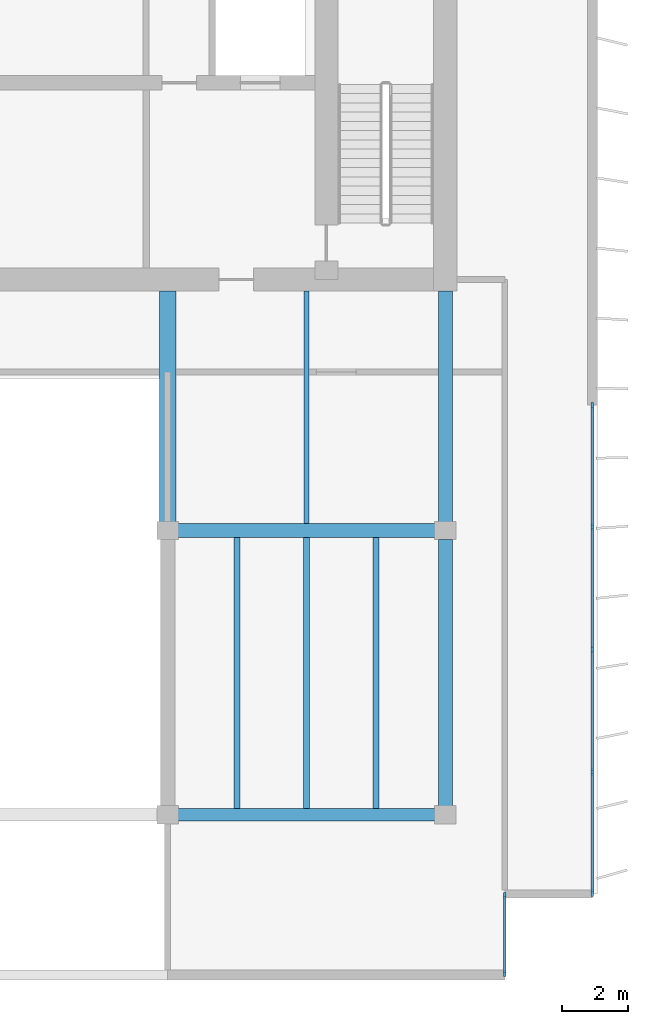
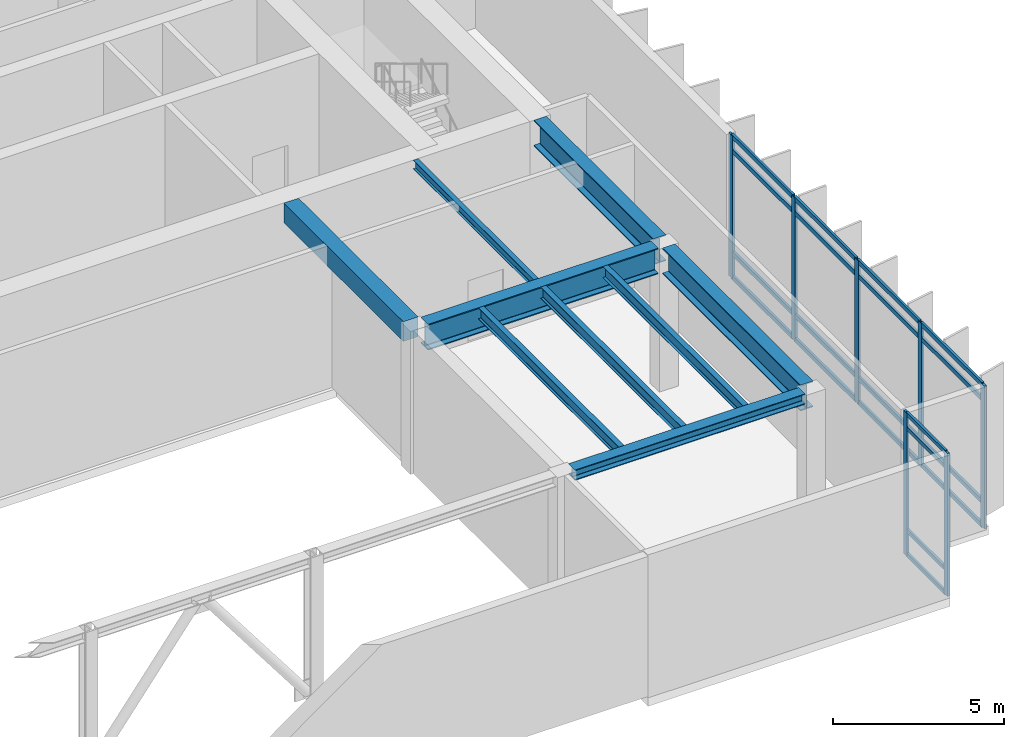
# One storey, part 3 of 9: 27 members, 9 beams, 2 elements without a shape of their own.
"""IFC4 building model written with IfcOpenShell, lengths in metres."""

from ifc_helpers import new_model, si_unit, direction, frame, origin, origin_2d, place, context, subcontext, project, spatial, rectangle, i_section, extrude, material, layer, layer_set, material_profile, profile_set, type_object, element, aggregate, save


model = new_model("IFC4")

# Units and contexts
model_context = context("Model", 3, precision=1e-05, world=origin(), true_north=direction((0.0, 1.0)))
body_context = subcontext(model_context, "Body", "Model", "MODEL_VIEW")
ifc_project = project(units=[si_unit("LENGTHUNIT", "METRE"), si_unit("AREAUNIT", "SQUARE_METRE"), si_unit("VOLUMEUNIT", "CUBIC_METRE"), si_unit("PLANEANGLEUNIT", "RADIAN"), si_unit("MASSUNIT", "GRAM", prefix="KILO")], contexts=[model_context])

# Site, building, storey
site_placement = place(None, origin())
site = spatial("IfcSite", under=ifc_project, at=site_placement, CompositionType="ELEMENT")
building_placement = place(site_placement, origin())
building = spatial("IfcBuilding", under=site, at=building_placement, Name="Caelmar Bay Residences", CompositionType="ELEMENT")
storey_placement = place(building_placement, frame((0.0, 0.0, 290.199951171875)))
storey = spatial("IfcBuildingStorey", under=building, at=storey_placement, Name="L80", CompositionType="ELEMENT", Elevation=290.199951171875)

# Beams
ifc_material_1 = material(Name="Steel ASTM A992 Grade 50", Category="steel")
ifc_material_profile_1 = material_profile(ifc_material_1, i_section(OverallWidth=0.177978515625, OverallDepth=0.406005859375, WebThickness=0.0078125, FlangeThickness=0.0126953125, FilletRadius=0.0087890625, at=origin_2d()), Name="W16X40")
ifc_profile_set_1 = profile_set([ifc_material_profile_1], Name="Steel ASTM A992 Grade 50")
beam_type_1 = type_object("IfcBeamType", Name="BM-BAL-W16X40", PredefinedType="JOIST", material=ifc_profile_set_1)
for number, where, z_axis, x_axis, name in (
    (1, (53.199951171875, 20.986572265625, 4.89697265625), (0.0, 1.0, 0.0), (-1.0, 0.0, 0.0), "L80 Composite Floor Joist 4"),
    (2, (55.300048828125, 20.986572265625, 4.89697265625), (0.0, 1.0, 0.0), (-1.0, 0.0, 0.0), "L80 Composite Floor Joist 5"),
    (3, (57.39990234375, 20.986572265625, 4.89697265625), (0.0, 1.0, 0.0), (-1.0, 0.0, 0.0), "L80 Composite Floor Joist 6"),
):
    element("IfcBeam", number, at=place(storey_placement, frame(where, z_axis=z_axis, x_axis=x_axis)), inside=storey, type_object=beam_type_1, Name=name, PredefinedType="JOIST", context=body_context, shape_type="SweptSolid", body=[
        extrude(i_section(OverallWidth=0.177978515625, OverallDepth=0.406005859375, WebThickness=0.0078125, FlangeThickness=0.0126953125, FilletRadius=0.0087890625, at=origin_2d()), origin(), (0.0, 0.0, 1.0), 8.202392578125),
    ])
ifc_material_profile_2 = material_profile(ifc_material_1, i_section(OverallWidth=0.373046875, OverallDepth=0.373046875, WebThickness=0.016357421875, FlangeThickness=0.026123046875, FilletRadius=0.01513671875, at=origin_2d()), Name="W14X132")
ifc_profile_set_2 = profile_set([ifc_material_profile_2], Name="Steel ASTM A992 Grade 50")
beam_type_2 = type_object("IfcBeamType", Name="BM-CHD-W14X132", PredefinedType="BEAM", material=ifc_profile_set_2)
beam_1_placement = place(storey_placement, frame((51.4150390625, 20.800048828125, 4.91357421875), z_axis=(1.0, 0.0, 0.0), x_axis=(0.0, 1.0, 0.0)))
element("IfcBeam", 4, at=beam_1_placement, inside=storey, type_object=beam_type_2, Name="L80 East-West Girder Y=20.80 (51.1-59.5)", PredefinedType="BEAM", context=body_context, shape_type="SweptSolid", body=[
    extrude(i_section(OverallWidth=0.373046875, OverallDepth=0.373046875, WebThickness=0.016357421875, FlangeThickness=0.026123046875, FilletRadius=0.01513671875, at=origin_2d()), origin(), (0.0, 0.0, 1.0), 7.77001953125),
])
ifc_material_profile_3 = material_profile(ifc_material_1, i_section(OverallWidth=0.422119140625, OverallDepth=0.925048828125, WebThickness=0.021240234375, FlangeThickness=0.03662109375, FilletRadius=0.020263671875, at=origin_2d()), Name="W36X262")
ifc_profile_set_3 = profile_set([ifc_material_profile_3], Name="Steel ASTM A992 Grade 50")
beam_type_3 = type_object("IfcBeamType", Name="BM-GRD-W36X262", PredefinedType="BEAM", material=ifc_profile_set_3)
beam_2_placement = place(storey_placement, frame((51.4150390625, 29.39990234375, 4.637451171875), z_axis=(1.0, 0.0, 0.0), x_axis=(0.0, 1.0, 0.0)))
element("IfcBeam", 5, at=beam_2_placement, inside=storey, type_object=beam_type_3, Name="L80 East-West Girder Y=29.40 (51.1-59.5)", PredefinedType="BEAM", context=body_context, shape_type="SweptSolid", body=[
    extrude(i_section(OverallWidth=0.422119140625, OverallDepth=0.925048828125, WebThickness=0.021240234375, FlangeThickness=0.03662109375, FilletRadius=0.020263671875, at=origin_2d()), origin(), (0.0, 0.0, 1.0), 7.77001953125),
])
beam_3_placement = place(storey_placement, frame((59.5, 29.6650390625, 4.637451171875), z_axis=(0.0, 1.0, 0.0), x_axis=(-1.0, 0.0, 0.0)))
element("IfcBeam", 6, at=beam_3_placement, inside=storey, type_object=beam_type_3, Name="L80 Core Tie Girder X=59.50", PredefinedType="BEAM", context=body_context, shape_type="SweptSolid", body=[
    extrude(i_section(OverallWidth=0.422119140625, OverallDepth=0.925048828125, WebThickness=0.021240234375, FlangeThickness=0.03662109375, FilletRadius=0.020263671875, at=origin_2d()), origin(), (0.0, 0.0, 1.0), 6.98486328125),
])
beam_4_placement = place(storey_placement, frame((59.5, 21.06494140625, 4.637451171875), z_axis=(0.0, 1.0, 0.0), x_axis=(-1.0, 0.0, 0.0)))
element("IfcBeam", 7, at=beam_4_placement, inside=storey, type_object=beam_type_3, Name="L80 North-South Girder X=59.50 (20.8-29.4)", PredefinedType="BEAM", context=body_context, shape_type="SweptSolid", body=[
    extrude(i_section(OverallWidth=0.422119140625, OverallDepth=0.925048828125, WebThickness=0.021240234375, FlangeThickness=0.03662109375, FilletRadius=0.020263671875, at=origin_2d()), origin(), (0.0, 0.0, 1.0), 8.070068359375),
])
ifc_material_profile_4 = material_profile(ifc_material_1, i_section(OverallWidth=0.1650390625, OverallDepth=0.31005859375, WebThickness=0.005859375, FlangeThickness=0.009765625, FilletRadius=0.007568359375, at=origin_2d()), Name="W12X26")
ifc_profile_set_4 = profile_set([ifc_material_profile_4], Name="Steel ASTM A992 Grade 50")
beam_type_4 = type_object("IfcBeamType", Name="BM-JST-W12X26", PredefinedType="JOIST", material=ifc_profile_set_4)
beam_5_placement = place(storey_placement, frame((55.300048828125, 29.611083984375, 4.945068359375), z_axis=(0.0, 1.0, 0.0), x_axis=(-1.0, 0.0, 0.0)))
element("IfcBeam", 8, at=beam_5_placement, inside=storey, type_object=beam_type_4, Name="L80 Core-Band Composite Joist 8", PredefinedType="JOIST", context=body_context, shape_type="SweptSolid", body=[
    extrude(i_section(OverallWidth=0.1650390625, OverallDepth=0.31005859375, WebThickness=0.005859375, FlangeThickness=0.009765625, FilletRadius=0.007568359375, at=origin_2d()), origin(), (0.0, 0.0, 1.0), 7.038818359375),
])
ifc_material_2 = material(Name="Concrete f'c 55 MPa (8,000 psi)", Category="concrete")
ifc_material_profile_5 = material_profile(ifc_material_2, rectangle(XDim=0.5, YDim=0.699951171875, at=origin_2d()), Name="RC-BM-500X700")
ifc_profile_set_5 = profile_set([ifc_material_profile_5], Name="Concrete f'c 55 MPa (8,000 psi)")
beam_type_5 = type_object("IfcBeamType", Name="BM-RC-500X700", PredefinedType="LINTEL", material=ifc_profile_set_5)
beam_6_placement = place(storey_placement, frame((51.10009765625, 29.6650390625, 4.75), z_axis=(0.0, 1.0, 0.0), x_axis=(-1.0, 0.0, 0.0)))
element("IfcBeam", 9, at=beam_6_placement, inside=storey, type_object=beam_type_5, Name="L80 Shear-Wall Corridor Coupling Lintel E8", PredefinedType="LINTEL", context=body_context, shape_type="SweptSolid", body=[
    extrude(rectangle(XDim=0.5, YDim=0.699951171875, at=origin_2d()), origin(), (0.0, 0.0, 1.0), 6.98486328125),
])

# Curtain wall, members
ifc_material_3 = material(Name="Anodised bronze aluminium 6063-T6 and laminated glass", Category="aluminium")
ifc_layer_1 = layer(ifc_material_3, 0.179931640625)
ifc_layer_set_1 = layer_set([ifc_layer_1], Name="Anodised bronze aluminium 6063-T6 and laminated glass")
curtain_wall_type_1 = type_object("IfcCurtainWallType", Name="CW6-NTC", PredefinedType="NOTDEFINED", material=ifc_layer_set_1)
curtain_wall_1_placement = place(storey_placement, origin())
curtain_wall_1 = element("IfcCurtainWall", 10, at=curtain_wall_1_placement, inside=storey, type_object=curtain_wall_type_1, Name="CW6 curtain wall L80", PredefinedType="NOTDEFINED")
ifc_material_4 = material(Name="Anodised bronze aluminium 6063-T6", Category="aluminium")
ifc_material_profile_6 = material_profile(ifc_material_4, rectangle(XDim=0.080078125, YDim=0.179931640625, at=origin_2d()), Name="CWM-80X180")
ifc_profile_set_6 = profile_set([ifc_material_profile_6], Name="Anodised bronze aluminium 6063-T6")
member_type_1 = type_object("IfcMemberType", Name="CWM-180", PredefinedType="MULLION", material=ifc_profile_set_6)
member_1_placement = place(storey_placement, frame((61.300048828125, 15.989990234375, 0.0), z_axis=(0.0, 0.0, 1.0), x_axis=(-1.0, 0.0, 0.0)))
member_1 = element("IfcMember", 11, at=member_1_placement, type_object=member_type_1, Name="CW6 mullion 1", PredefinedType="MULLION", context=body_context, shape_type="SweptSolid", body=[
    extrude(rectangle(XDim=0.080078125, YDim=0.179931640625, at=origin_2d()), origin(), (0.0, 0.0, 1.0), 5.10009765625),
])
member_2_placement = place(storey_placement, frame((61.300048828125, 18.360107421875, 0.0), z_axis=(0.0, 0.0, 1.0), x_axis=(-1.0, 0.0, 0.0)))
member_2 = element("IfcMember", 12, at=member_2_placement, type_object=member_type_1, Name="CW6 mullion 2", PredefinedType="MULLION", context=body_context, shape_type="SweptSolid", body=[
    extrude(rectangle(XDim=0.080078125, YDim=0.179931640625, at=origin_2d()), origin(), (0.0, 0.0, 1.0), 5.10009765625),
])

ifc_layer_2 = layer(ifc_material_3, 0.179931640625)
ifc_layer_set_2 = layer_set([ifc_layer_2], Name="Anodised bronze aluminium 6063-T6 and laminated glass")
curtain_wall_type_2 = type_object("IfcCurtainWallType", Name="CW7-CRN", PredefinedType="NOTDEFINED", material=ifc_layer_set_2)
curtain_wall_2_placement = place(storey_placement, origin())
curtain_wall_2 = element("IfcCurtainWall", 13, at=curtain_wall_2_placement, inside=storey, type_object=curtain_wall_type_2, Name="CW7 curtain wall L80", PredefinedType="NOTDEFINED")
ifc_material_profile_7 = material_profile(ifc_material_4, rectangle(XDim=0.080078125, YDim=0.219970703125, at=origin_2d()), Name="CWM-80X220")
ifc_profile_set_7 = profile_set([ifc_material_profile_7], Name="Anodised bronze aluminium 6063-T6")
member_type_2 = type_object("IfcMemberType", Name="CWM-220", PredefinedType="MULLION", material=ifc_profile_set_7)
member_3_placement = place(storey_placement, frame((63.949951171875, 33.159912109375, 0.0), z_axis=(0.0, 0.0, 1.0), x_axis=(1.0, 0.0, 0.0)))
member_3 = element("IfcMember", 14, at=member_3_placement, type_object=member_type_2, Name="CW7 mullion 1", PredefinedType="MULLION", context=body_context, shape_type="SweptSolid", body=[
    extrude(rectangle(XDim=0.080078125, YDim=0.219970703125, at=origin_2d()), origin(), (0.0, 0.0, 1.0), 5.10009765625),
])
member_4_placement = place(storey_placement, frame((63.949951171875, 29.5, 0.0), z_axis=(0.0, 0.0, 1.0), x_axis=(1.0, 0.0, 0.0)))
member_4 = element("IfcMember", 15, at=member_4_placement, type_object=member_type_2, Name="CW7 mullion 2", PredefinedType="MULLION", context=body_context, shape_type="SweptSolid", body=[
    extrude(rectangle(XDim=0.080078125, YDim=0.219970703125, at=origin_2d()), origin(), (0.0, 0.0, 1.0), 5.10009765625),
])
member_5_placement = place(storey_placement, frame((63.949951171875, 25.800048828125, 0.0), z_axis=(0.0, 0.0, 1.0), x_axis=(1.0, 0.0, 0.0)))
member_5 = element("IfcMember", 16, at=member_5_placement, type_object=member_type_2, Name="CW7 mullion 3", PredefinedType="MULLION", context=body_context, shape_type="SweptSolid", body=[
    extrude(rectangle(XDim=0.080078125, YDim=0.219970703125, at=origin_2d()), origin(), (0.0, 0.0, 1.0), 5.10009765625),
])
member_6_placement = place(storey_placement, frame((63.949951171875, 22.10009765625, 0.0), z_axis=(0.0, 0.0, 1.0), x_axis=(1.0, 0.0, 0.0)))
member_6 = element("IfcMember", 17, at=member_6_placement, type_object=member_type_2, Name="CW7 mullion 4", PredefinedType="MULLION", context=body_context, shape_type="SweptSolid", body=[
    extrude(rectangle(XDim=0.080078125, YDim=0.219970703125, at=origin_2d()), origin(), (0.0, 0.0, 1.0), 5.10009765625),
])
member_7_placement = place(storey_placement, frame((63.949951171875, 18.43994140625, 0.0), z_axis=(0.0, 0.0, 1.0), x_axis=(1.0, 0.0, 0.0)))
member_7 = element("IfcMember", 18, at=member_7_placement, type_object=member_type_2, Name="CW7 mullion 5", PredefinedType="MULLION", context=body_context, shape_type="SweptSolid", body=[
    extrude(rectangle(XDim=0.080078125, YDim=0.219970703125, at=origin_2d()), origin(), (0.0, 0.0, 1.0), 5.10009765625),
])

# Member
ifc_material_profile_8 = material_profile(ifc_material_4, rectangle(XDim=0.080078125, YDim=0.139892578125, at=origin_2d()), Name="CWT-80X140")
ifc_profile_set_8 = profile_set([ifc_material_profile_8], Name="Anodised bronze aluminium 6063-T6")
member_type_3 = type_object("IfcMemberType", Name="CWT-140", PredefinedType="NOTDEFINED", material=ifc_profile_set_8)
member_8_placement = place(storey_placement, frame((61.300048828125, 16.030029296875, 0.0400390625), z_axis=(0.0, 1.0, 0.0), x_axis=(-1.0, 0.0, 0.0)))
member_8 = element("IfcMember", 19, at=member_8_placement, type_object=member_type_3, Name="CW6 transom 1.1", ObjectType="TRANSOM", PredefinedType="USERDEFINED", context=body_context, shape_type="SweptSolid", body=[
    extrude(rectangle(XDim=0.080078125, YDim=0.139892578125, at=origin_2d()), origin(), (0.0, 0.0, 1.0), 2.2900390625),
])

member_9_placement = place(storey_placement, frame((61.300048828125, 16.030029296875, 0.900146484375), z_axis=(0.0, 1.0, 0.0), x_axis=(-1.0, 0.0, 0.0)))
member_9 = element("IfcMember", 20, at=member_9_placement, type_object=member_type_3, Name="CW6 transom 1.2", ObjectType="TRANSOM", PredefinedType="USERDEFINED", context=body_context, shape_type="SweptSolid", body=[
    extrude(rectangle(XDim=0.080078125, YDim=0.139892578125, at=origin_2d()), origin(), (0.0, 0.0, 1.0), 2.2900390625),
])

member_10_placement = place(storey_placement, frame((61.300048828125, 16.030029296875, 4.550048828125), z_axis=(0.0, 1.0, 0.0), x_axis=(-1.0, 0.0, 0.0)))
member_10 = element("IfcMember", 21, at=member_10_placement, type_object=member_type_3, Name="CW6 transom 1.3", ObjectType="TRANSOM", PredefinedType="USERDEFINED", context=body_context, shape_type="SweptSolid", body=[
    extrude(rectangle(XDim=0.080078125, YDim=0.139892578125, at=origin_2d()), origin(), (0.0, 0.0, 1.0), 2.2900390625),
])

member_11_placement = place(storey_placement, frame((61.300048828125, 16.030029296875, 5.06005859375), z_axis=(0.0, 1.0, 0.0), x_axis=(-1.0, 0.0, 0.0)))
member_11 = element("IfcMember", 22, at=member_11_placement, type_object=member_type_3, Name="CW6 transom 1.4", ObjectType="TRANSOM", PredefinedType="USERDEFINED", context=body_context, shape_type="SweptSolid", body=[
    extrude(rectangle(XDim=0.080078125, YDim=0.139892578125, at=origin_2d()), origin(), (0.0, 0.0, 1.0), 2.2900390625),
])

aggregate(curtain_wall_1, [member_1, member_2, member_8, member_9, member_10, member_11])

ifc_material_profile_9 = material_profile(ifc_material_4, rectangle(XDim=0.080078125, YDim=0.159912109375, at=origin_2d()), Name="CWT-80X160")
ifc_profile_set_9 = profile_set([ifc_material_profile_9], Name="Anodised bronze aluminium 6063-T6")
member_type_4 = type_object("IfcMemberType", Name="CWT-160", PredefinedType="NOTDEFINED", material=ifc_profile_set_9)
member_12_placement = place(storey_placement, frame((63.949951171875, 33.1201171875, 0.0400390625), z_axis=(0.0, -1.0, 0.0), x_axis=(1.0, 0.0, 0.0)))
member_12 = element("IfcMember", 23, at=member_12_placement, type_object=member_type_4, Name="CW7 transom 1.1", ObjectType="TRANSOM", PredefinedType="USERDEFINED", context=body_context, shape_type="SweptSolid", body=[
    extrude(rectangle(XDim=0.080078125, YDim=0.159912109375, at=origin_2d()), origin(), (0.0, 0.0, 1.0), 3.580078125),
])

member_13_placement = place(storey_placement, frame((63.949951171875, 33.1201171875, 0.900146484375), z_axis=(0.0, -1.0, 0.0), x_axis=(1.0, 0.0, 0.0)))
member_13 = element("IfcMember", 24, at=member_13_placement, type_object=member_type_4, Name="CW7 transom 1.2", ObjectType="TRANSOM", PredefinedType="USERDEFINED", context=body_context, shape_type="SweptSolid", body=[
    extrude(rectangle(XDim=0.080078125, YDim=0.159912109375, at=origin_2d()), origin(), (0.0, 0.0, 1.0), 3.580078125),
])

member_14_placement = place(storey_placement, frame((63.949951171875, 33.1201171875, 4.550048828125), z_axis=(0.0, -1.0, 0.0), x_axis=(1.0, 0.0, 0.0)))
member_14 = element("IfcMember", 25, at=member_14_placement, type_object=member_type_4, Name="CW7 transom 1.3", ObjectType="TRANSOM", PredefinedType="USERDEFINED", context=body_context, shape_type="SweptSolid", body=[
    extrude(rectangle(XDim=0.080078125, YDim=0.159912109375, at=origin_2d()), origin(), (0.0, 0.0, 1.0), 3.580078125),
])

member_15_placement = place(storey_placement, frame((63.949951171875, 33.1201171875, 5.06005859375), z_axis=(0.0, -1.0, 0.0), x_axis=(1.0, 0.0, 0.0)))
member_15 = element("IfcMember", 26, at=member_15_placement, type_object=member_type_4, Name="CW7 transom 1.4", ObjectType="TRANSOM", PredefinedType="USERDEFINED", context=body_context, shape_type="SweptSolid", body=[
    extrude(rectangle(XDim=0.080078125, YDim=0.159912109375, at=origin_2d()), origin(), (0.0, 0.0, 1.0), 3.580078125),
])

member_16_placement = place(storey_placement, frame((63.949951171875, 29.4599609375, 0.0400390625), z_axis=(0.0, -1.0, 0.0), x_axis=(1.0, 0.0, 0.0)))
member_16 = element("IfcMember", 27, at=member_16_placement, type_object=member_type_4, Name="CW7 transom 2.1", ObjectType="TRANSOM", PredefinedType="USERDEFINED", context=body_context, shape_type="SweptSolid", body=[
    extrude(rectangle(XDim=0.080078125, YDim=0.159912109375, at=origin_2d()), origin(), (0.0, 0.0, 1.0), 3.619873046875),
])

member_17_placement = place(storey_placement, frame((63.949951171875, 29.4599609375, 0.900146484375), z_axis=(0.0, -1.0, 0.0), x_axis=(1.0, 0.0, 0.0)))
member_17 = element("IfcMember", 28, at=member_17_placement, type_object=member_type_4, Name="CW7 transom 2.2", ObjectType="TRANSOM", PredefinedType="USERDEFINED", context=body_context, shape_type="SweptSolid", body=[
    extrude(rectangle(XDim=0.080078125, YDim=0.159912109375, at=origin_2d()), origin(), (0.0, 0.0, 1.0), 3.619873046875),
])

member_18_placement = place(storey_placement, frame((63.949951171875, 29.4599609375, 4.550048828125), z_axis=(0.0, -1.0, 0.0), x_axis=(1.0, 0.0, 0.0)))
member_18 = element("IfcMember", 29, at=member_18_placement, type_object=member_type_4, Name="CW7 transom 2.3", ObjectType="TRANSOM", PredefinedType="USERDEFINED", context=body_context, shape_type="SweptSolid", body=[
    extrude(rectangle(XDim=0.080078125, YDim=0.159912109375, at=origin_2d()), origin(), (0.0, 0.0, 1.0), 3.619873046875),
])

member_19_placement = place(storey_placement, frame((63.949951171875, 29.4599609375, 5.06005859375), z_axis=(0.0, -1.0, 0.0), x_axis=(1.0, 0.0, 0.0)))
member_19 = element("IfcMember", 30, at=member_19_placement, type_object=member_type_4, Name="CW7 transom 2.4", ObjectType="TRANSOM", PredefinedType="USERDEFINED", context=body_context, shape_type="SweptSolid", body=[
    extrude(rectangle(XDim=0.080078125, YDim=0.159912109375, at=origin_2d()), origin(), (0.0, 0.0, 1.0), 3.619873046875),
])

member_20_placement = place(storey_placement, frame((63.949951171875, 25.760009765625, 0.0400390625), z_axis=(0.0, -1.0, 0.0), x_axis=(1.0, 0.0, 0.0)))
member_20 = element("IfcMember", 31, at=member_20_placement, type_object=member_type_4, Name="CW7 transom 3.1", ObjectType="TRANSOM", PredefinedType="USERDEFINED", context=body_context, shape_type="SweptSolid", body=[
    extrude(rectangle(XDim=0.080078125, YDim=0.159912109375, at=origin_2d()), origin(), (0.0, 0.0, 1.0), 3.6201171875),
])

member_21_placement = place(storey_placement, frame((63.949951171875, 25.760009765625, 0.900146484375), z_axis=(0.0, -1.0, 0.0), x_axis=(1.0, 0.0, 0.0)))
member_21 = element("IfcMember", 32, at=member_21_placement, type_object=member_type_4, Name="CW7 transom 3.2", ObjectType="TRANSOM", PredefinedType="USERDEFINED", context=body_context, shape_type="SweptSolid", body=[
    extrude(rectangle(XDim=0.080078125, YDim=0.159912109375, at=origin_2d()), origin(), (0.0, 0.0, 1.0), 3.6201171875),
])

member_22_placement = place(storey_placement, frame((63.949951171875, 25.760009765625, 4.550048828125), z_axis=(0.0, -1.0, 0.0), x_axis=(1.0, 0.0, 0.0)))
member_22 = element("IfcMember", 33, at=member_22_placement, type_object=member_type_4, Name="CW7 transom 3.3", ObjectType="TRANSOM", PredefinedType="USERDEFINED", context=body_context, shape_type="SweptSolid", body=[
    extrude(rectangle(XDim=0.080078125, YDim=0.159912109375, at=origin_2d()), origin(), (0.0, 0.0, 1.0), 3.6201171875),
])

member_23_placement = place(storey_placement, frame((63.949951171875, 25.760009765625, 5.06005859375), z_axis=(0.0, -1.0, 0.0), x_axis=(1.0, 0.0, 0.0)))
member_23 = element("IfcMember", 34, at=member_23_placement, type_object=member_type_4, Name="CW7 transom 3.4", ObjectType="TRANSOM", PredefinedType="USERDEFINED", context=body_context, shape_type="SweptSolid", body=[
    extrude(rectangle(XDim=0.080078125, YDim=0.159912109375, at=origin_2d()), origin(), (0.0, 0.0, 1.0), 3.6201171875),
])

member_24_placement = place(storey_placement, frame((63.949951171875, 22.06005859375, 0.0400390625), z_axis=(0.0, -1.0, 0.0), x_axis=(1.0, 0.0, 0.0)))
member_24 = element("IfcMember", 35, at=member_24_placement, type_object=member_type_4, Name="CW7 transom 4.1", ObjectType="TRANSOM", PredefinedType="USERDEFINED", context=body_context, shape_type="SweptSolid", body=[
    extrude(rectangle(XDim=0.080078125, YDim=0.159912109375, at=origin_2d()), origin(), (0.0, 0.0, 1.0), 3.580078125),
])

member_25_placement = place(storey_placement, frame((63.949951171875, 22.06005859375, 0.900146484375), z_axis=(0.0, -1.0, 0.0), x_axis=(1.0, 0.0, 0.0)))
member_25 = element("IfcMember", 36, at=member_25_placement, type_object=member_type_4, Name="CW7 transom 4.2", ObjectType="TRANSOM", PredefinedType="USERDEFINED", context=body_context, shape_type="SweptSolid", body=[
    extrude(rectangle(XDim=0.080078125, YDim=0.159912109375, at=origin_2d()), origin(), (0.0, 0.0, 1.0), 3.580078125),
])

member_26_placement = place(storey_placement, frame((63.949951171875, 22.06005859375, 4.550048828125), z_axis=(0.0, -1.0, 0.0), x_axis=(1.0, 0.0, 0.0)))
member_26 = element("IfcMember", 37, at=member_26_placement, type_object=member_type_4, Name="CW7 transom 4.3", ObjectType="TRANSOM", PredefinedType="USERDEFINED", context=body_context, shape_type="SweptSolid", body=[
    extrude(rectangle(XDim=0.080078125, YDim=0.159912109375, at=origin_2d()), origin(), (0.0, 0.0, 1.0), 3.580078125),
])

member_27_placement = place(storey_placement, frame((63.949951171875, 22.06005859375, 5.06005859375), z_axis=(0.0, -1.0, 0.0), x_axis=(1.0, 0.0, 0.0)))
member_27 = element("IfcMember", 38, at=member_27_placement, type_object=member_type_4, Name="CW7 transom 4.4", ObjectType="TRANSOM", PredefinedType="USERDEFINED", context=body_context, shape_type="SweptSolid", body=[
    extrude(rectangle(XDim=0.080078125, YDim=0.159912109375, at=origin_2d()), origin(), (0.0, 0.0, 1.0), 3.580078125),
])

aggregate(curtain_wall_2, [member_3, member_4, member_5, member_6, member_7, member_12, member_13, member_14, member_15, member_16, member_17, member_18, member_19, member_20, member_21, member_22, member_23, member_24, member_25, member_26, member_27])

save(model, "model.ifc")
